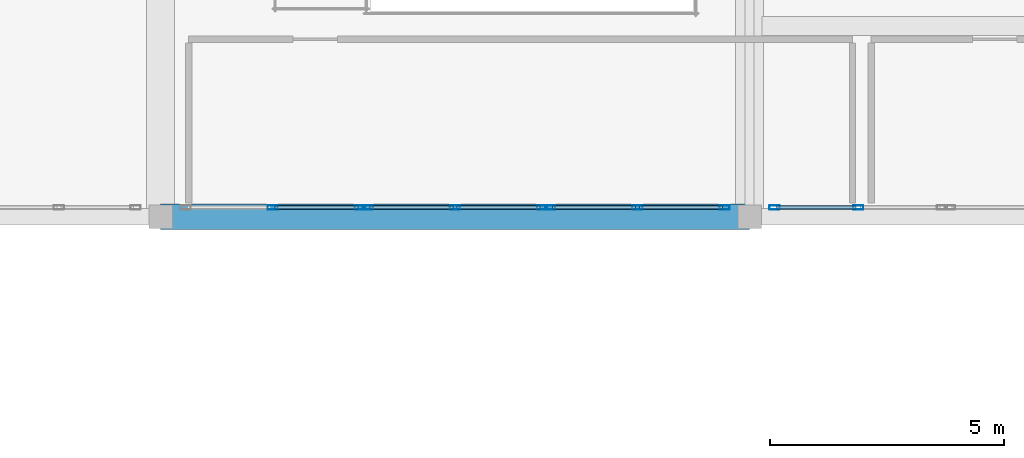
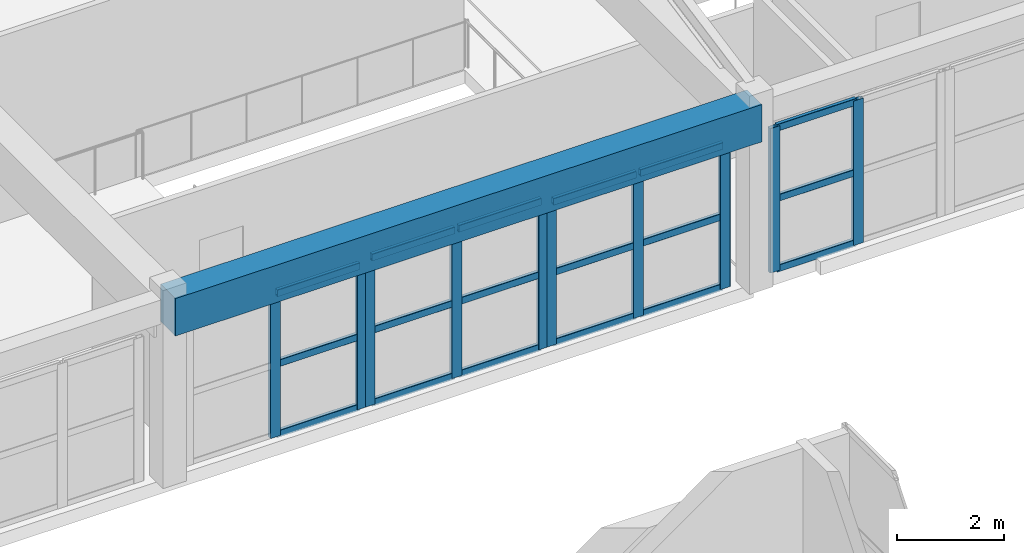
# One storey, part 22 of 91: 28 members, 1 beam, 4 elements without a shape of their own.
"""IFC4 building model written with IfcOpenShell, lengths in metres."""

import ifcopenshell
import ifcopenshell.guid

model = None  # the IFC model being written
_history = None  # IfcOwnerHistory: only IFC2X3 demands one
_inside = {}  # id of a spatial element -> (the spatial element, [elements in it])
_under = {}  # id of a project, library or spatial element -> (it, [spatial elements below it])
_declared = {}  # id of a project -> (the project, [libraries it declares])
_typed = {}  # id of a type object -> (the type object, [elements of that type])
_made_of = {}  # id of a material, layer set ... -> (it, [elements and type objects made of it])


def new_model(schema):
    """Start an empty IFC model of exactly this schema.

    Asked for "IFC4X3", IfcOpenShell would pick the latest addendum, in which some entities
    have other attributes; the version numbers below select the first issue.
    IFC2X3 requires an IfcOwnerHistory on every rooted entity: one is made here for all.
    """
    global model, _history
    if schema == "IFC4X3":
        model = ifcopenshell.file(schema_version=(4, 3, 0, 0))
    else:
        model = ifcopenshell.file(schema=schema)
    _inside.clear()
    _under.clear()
    _declared.clear()
    _typed.clear()
    _made_of.clear()
    _history = None
    if model.schema == "IFC2X3":
        org = make("IfcOrganization", Name="unknown")
        user = make(
            "IfcPersonAndOrganization",
            ThePerson=make("IfcPerson", FamilyName="unknown"),
            TheOrganization=org,
        )
        app = make(
            "IfcApplication",
            ApplicationDeveloper=org,
            Version="unknown",
            ApplicationFullName="unknown",
            ApplicationIdentifier="unknown",
        )
        _history = make(
            "IfcOwnerHistory",
            OwningUser=user,
            OwningApplication=app,
            ChangeAction="ADDED",
            CreationDate=0,
        )
    return model


def make(cls, **values):
    """One entity of the class cls with the attributes given. An attribute that is None is left unset."""
    return model.create_entity(
        cls, **{name: value for name, value in values.items() if value is not None}
    )


def rooted(cls, **values):
    """An entity with a GlobalId (a new one), such as an element, a storey or a relation."""
    return make(cls, GlobalId=ifcopenshell.guid.new(), OwnerHistory=_history, **values)


def si_unit(unit_type, name, prefix=None):
    """IfcSIUnit, for example si_unit("LENGTHUNIT", "METRE", prefix="MILLI")."""
    return make("IfcSIUnit", UnitType=unit_type, Prefix=prefix, Name=name)


def assignment(units):
    """IfcUnitAssignment: the units of a project."""
    return None if units is None else make("IfcUnitAssignment", Units=units)


def point(xyz):
    """IfcCartesianPoint."""
    return None if xyz is None else make("IfcCartesianPoint", Coordinates=xyz)


def direction(xyz):
    """IfcDirection."""
    return None if xyz is None else make("IfcDirection", DirectionRatios=xyz)


def frame(location, z_axis=None, x_axis=None):
    """IfcAxis2Placement3D, a coordinate frame: its origin and axes. An axis left out is left unset."""
    return make(
        "IfcAxis2Placement3D",
        Location=point(location),
        Axis=direction(z_axis),
        RefDirection=direction(x_axis),
    )


def frame_2d(location, x_axis=None):
    """IfcAxis2Placement2D, a coordinate frame in the plane: its origin and x axis."""
    return make(
        "IfcAxis2Placement2D", Location=point(location), RefDirection=direction(x_axis)
    )


def origin():
    """The frame at (0, 0, 0) with its axes left unset."""
    return frame((0.0, 0.0, 0.0))


def origin_2d():
    """The frame at (0, 0) in the plane with its x axis left unset."""
    return frame_2d((0.0, 0.0))


def place(relative_to, where):
    """IfcLocalPlacement: puts the frame where relative to a parent placement (None: the world)."""
    return make(
        "IfcLocalPlacement", PlacementRelTo=relative_to, RelativePlacement=where
    )


def context(
    kind, dimensions, precision=None, world=None, true_north=None, identifier=None
):
    """IfcGeometricRepresentationContext, for example the 3D "Model" context."""
    return make(
        "IfcGeometricRepresentationContext",
        ContextIdentifier=identifier,
        ContextType=kind,
        CoordinateSpaceDimension=dimensions,
        Precision=precision,
        WorldCoordinateSystem=world,
        TrueNorth=true_north,
    )


def subcontext(parent, identifier, kind, view, scale=None):
    """IfcGeometricRepresentationSubContext, for example "Body" below "Model"."""
    return make(
        "IfcGeometricRepresentationSubContext",
        ContextIdentifier=identifier,
        ContextType=kind,
        ParentContext=parent,
        TargetScale=scale,
        TargetView=view,
    )


def project(units=None, contexts=None):
    """IfcProject with its units and contexts."""
    return rooted(
        "IfcProject",
        Name="project",
        RepresentationContexts=contexts,
        UnitsInContext=assignment(units),
    )


def spatial(cls, under=None, at=None, **own):
    """A site, building, storey or space (cls), placed at a placement, below another one or the project."""
    s = rooted(cls, ObjectPlacement=at, **own)
    if under is not None:
        _under.setdefault(under.id(), (under, []))[1].append(s)
    return s


def profile(cls, at=None, kind="AREA", **sizes):
    """A parametric profile (cls). Its sizes go by their IFC names, for example OverallWidth=200.0."""
    return make(cls, ProfileType=kind, Position=at, **sizes)


def rectangle(**sizes):
    """IfcRectangleProfileDef."""
    return profile("IfcRectangleProfileDef", **sizes)


def hollow_rectangle(**sizes):
    """IfcRectangleHollowProfileDef."""
    return profile("IfcRectangleHollowProfileDef", **sizes)


def extrude(swept, where, along, depth):
    """IfcExtrudedAreaSolid: the profile swept, set in the frame where, extruded along a direction by depth."""
    return make(
        "IfcExtrudedAreaSolid",
        SweptArea=swept,
        Position=where,
        ExtrudedDirection=direction(along),
        Depth=depth,
    )


def shape(context_of_items, identifier, shape_type, items):
    """IfcShapeRepresentation: the items that make up one representation, for example the "Body"."""
    return make(
        "IfcShapeRepresentation",
        ContextOfItems=context_of_items,
        RepresentationIdentifier=identifier,
        RepresentationType=shape_type,
        Items=items,
    )


def material(Name=None, Category=None):
    """IfcMaterial."""
    return make("IfcMaterial", Name=Name, Category=Category)


def layer(
    of_material, thickness, ventilated=None, Name=None, Category=None, Priority=None
):
    """IfcMaterialLayer: one layer of a wall or slab, of a material (None: an air gap)."""
    return make(
        "IfcMaterialLayer",
        Material=of_material,
        LayerThickness=thickness,
        IsVentilated=ventilated,
        Name=Name,
        Category=Category,
        Priority=Priority,
    )


def layer_set(layers, Name=None):
    """IfcMaterialLayerSet."""
    return make("IfcMaterialLayerSet", MaterialLayers=layers, LayerSetName=Name)


def material_profile(
    of_material, cross_section, Name=None, Category=None, Priority=None
):
    """IfcMaterialProfile: a cross section and its material."""
    return make(
        "IfcMaterialProfile",
        Name=Name,
        Material=of_material,
        Profile=cross_section,
        Priority=Priority,
        Category=Category,
    )


def profile_set(profiles, Name=None, composite=None):
    """IfcMaterialProfileSet."""
    return make(
        "IfcMaterialProfileSet",
        Name=Name,
        MaterialProfiles=profiles,
        CompositeProfile=composite,
    )


def made_of(thing, what):
    """Note that an element or type object is made of a material, layer set ...; save() writes the relation."""
    if what is not None:
        _made_of.setdefault(what.id(), (what, []))[1].append(thing)
    return thing


def type_object(cls, material=None, **own):
    """A type object (cls), such as IfcWallType, which elements share."""
    return made_of(rooted(cls, **own), material)


def element(
    cls,
    number,
    at=None,
    inside=None,
    cuts=None,
    type_object=None,
    material=None,
    context=None,
    identifier="Body",
    shape_type=None,
    held_by="IfcProductDefinitionShape",
    body=None,
    shapes=None,
    **own,
):
    """One element of the class cls, such as IfcWall. Its Tag is "e" and its number.

    at: its placement. inside: the storey or other place that contains it. cuts: it is an
    opening in that element (IfcRelVoidsElement). A single representation is given by context,
    identifier, shape_type and body (its items); several are given by shapes. held_by: the class
    of the entity that holds the representations. save() writes the other relations.
    """
    e = rooted(cls, Tag="e%d" % number, ObjectPlacement=at, **own)
    if body is not None:
        shapes = [shape(context, identifier, shape_type, body)]
    if shapes is not None:
        e.Representation = make(held_by, Representations=shapes)
    if inside is not None:
        _inside.setdefault(inside.id(), (inside, []))[1].append(e)
    if cuts is not None:
        rooted(
            "IfcRelVoidsElement", RelatingBuildingElement=cuts, RelatedOpeningElement=e
        )
    if type_object is not None:
        _typed.setdefault(type_object.id(), (type_object, []))[1].append(e)
    return made_of(e, material)


def aggregate(whole, parts):
    """IfcRelAggregates: a whole, such as a stair, and the parts it consists of."""
    return rooted("IfcRelAggregates", RelatingObject=whole, RelatedObjects=parts)


def save(model, path):
    """Write the relations noted so far, then the file.

    IfcRelAggregates (storeys below a building ...), IfcRelContainedInSpatialStructure (elements
    in a storey), IfcRelDefinesByType, IfcRelAssociatesMaterial and IfcRelDeclares: one each for
    every whole, place, type object, material and project.
    """
    for whole, parts in _under.values():
        aggregate(whole, parts)
    for where, things in _inside.values():
        rooted(
            "IfcRelContainedInSpatialStructure",
            RelatedElements=things,
            RelatingStructure=where,
        )
    for kind, things in _typed.values():
        rooted("IfcRelDefinesByType", RelatedObjects=things, RelatingType=kind)
    for what, things in _made_of.values():
        rooted("IfcRelAssociatesMaterial", RelatedObjects=things, RelatingMaterial=what)
    for by, libraries in _declared.values():
        rooted("IfcRelDeclares", RelatingContext=by, RelatedDefinitions=libraries)
    model.write(path)


model = new_model("IFC4")

# Units and contexts
model_context = context("Model", 3, precision=1e-05, world=origin(), true_north=direction((0.0, 1.0)))
body_context = subcontext(model_context, "Body", "Model", "MODEL_VIEW")
ifc_project = project(units=[si_unit("LENGTHUNIT", "METRE"), si_unit("AREAUNIT", "SQUARE_METRE"), si_unit("VOLUMEUNIT", "CUBIC_METRE"), si_unit("PLANEANGLEUNIT", "RADIAN"), si_unit("MASSUNIT", "GRAM", prefix="KILO")], contexts=[model_context])

# Site, building, storey
site_placement = place(None, origin())
site = spatial("IfcSite", under=ifc_project, at=site_placement, CompositionType="ELEMENT")
building_placement = place(site_placement, origin())
building = spatial("IfcBuilding", under=site, at=building_placement, Name="Tarnavel Promenade Courthouse", CompositionType="ELEMENT")
storey_placement = place(building_placement, frame((0.0, 0.0, 9.89990234375)))
storey = spatial("IfcBuildingStorey", under=building, at=storey_placement, Name="L03", CompositionType="ELEMENT", Elevation=9.89990234375)

# Beam
ifc_material_1 = material(Name="Concrete C40/50", Category="concrete")
ifc_material_profile_1 = material_profile(ifc_material_1, rectangle(XDim=0.550048828125, YDim=0.85009765625, at=origin_2d()), Name="PT 550x850")
ifc_profile_set_1 = profile_set([ifc_material_profile_1], Name="Concrete C40/50")
beam_type = type_object("IfcBeamType", Name="Concrete C40/50 BM-PT-550x850 (PT 550x850)", PredefinedType="T_BEAM", material=ifc_profile_set_1)
beam_placement = place(storey_placement, frame((46.199951171875, 46.800048828125, 3.820068359375), z_axis=(1.0, 0.0, 0.0), x_axis=(0.0, 1.0, 0.0)))
element("IfcBeam", 1, at=beam_placement, inside=storey, type_object=beam_type, Name="L03 Primary Longitudinal Beam 1570", PredefinedType="T_BEAM", context=body_context, shape_type="SweptSolid", body=[
    extrude(rectangle(XDim=0.550048828125, YDim=0.85009765625, at=origin_2d()), origin(), (0.0, 0.0, 1.0), 12.60009765625),
])

# Curtain wall, members
ifc_material_2 = material(Name="Thermally Broken Anodised Aluminium Curtain Wall System", Category="aluminium")
ifc_layer = layer(ifc_material_2, 0.239990234375)
ifc_layer_set = layer_set([ifc_layer], Name="Thermally Broken Anodised Aluminium Curtain Wall System")
curtain_wall_type = type_object("IfcCurtainWallType", Name="Thermally Broken Aluminium Triple-Glazed Curtain Wall CW-WG-S", PredefinedType="NOTDEFINED", material=ifc_layer_set)
curtain_wall_1_placement = place(storey_placement, origin())
curtain_wall_1 = element("IfcCurtainWall", 2, at=curtain_wall_1_placement, inside=storey, type_object=curtain_wall_type, Name="L03 Winter-Garden South Solar Curtain Wall 084", PredefinedType="NOTDEFINED")
ifc_material_3 = material(Name="Thermally Broken Anodised Aluminium Frame", Category="aluminium")
ifc_material_profile_2 = material_profile(ifc_material_3, hollow_rectangle(XDim=0.090087890625, YDim=0.219970703125, WallThickness=0.0048828125, InnerFilletRadius=0.0048828125, OuterFilletRadius=0.010009765625, at=origin_2d()), Name="CWM 220x90x5")
ifc_profile_set_2 = profile_set([ifc_material_profile_2], Name="Thermally Broken Anodised Aluminium Frame")
member_type_1 = type_object("IfcMemberType", Name="Thermally Broken Anodised Aluminium CWM-175 (CWM 220x90x5)", PredefinedType="MULLION", material=ifc_profile_set_2)
member_1_placement = place(storey_placement, frame((48.60009765625, 47.0, 0.0), z_axis=(0.0, 0.0, 1.0), x_axis=(0.0, 1.0, 0.0)))
member_1 = element("IfcMember", 3, at=member_1_placement, type_object=member_type_1, Name="CW-02 mullion 2", PredefinedType="MULLION", context=body_context, shape_type="SweptSolid", body=[
    extrude(hollow_rectangle(XDim=0.090087890625, YDim=0.219970703125, WallThickness=0.0048828125, InnerFilletRadius=0.0048828125, OuterFilletRadius=0.010009765625, at=origin_2d()), origin(), (0.0, 0.0, 1.0), 3.280029296875),
])
member_2_placement = place(storey_placement, frame((50.465087890625, 47.0, 0.0), z_axis=(0.0, 0.0, 1.0), x_axis=(0.0, 1.0, 0.0)))
member_2 = element("IfcMember", 4, at=member_2_placement, type_object=member_type_1, Name="CW-02 mullion 3", PredefinedType="MULLION", context=body_context, shape_type="SweptSolid", body=[
    extrude(hollow_rectangle(XDim=0.090087890625, YDim=0.219970703125, WallThickness=0.0048828125, InnerFilletRadius=0.0048828125, OuterFilletRadius=0.010009765625, at=origin_2d()), origin(), (0.0, 0.0, 1.0), 3.280029296875),
])

curtain_wall_2_placement = place(storey_placement, origin())
curtain_wall_2 = element("IfcCurtainWall", 5, at=curtain_wall_2_placement, inside=storey, type_object=curtain_wall_type, Name="L03 Winter-Garden South Solar Curtain Wall 085", PredefinedType="NOTDEFINED")
member_3_placement = place(storey_placement, frame((50.635009765625, 47.0, 0.0), z_axis=(0.0, 0.0, 1.0), x_axis=(0.0, 1.0, 0.0)))
member_3 = element("IfcMember", 6, at=member_3_placement, type_object=member_type_1, Name="CW-02 mullion 1", PredefinedType="MULLION", context=body_context, shape_type="SweptSolid", body=[
    extrude(hollow_rectangle(XDim=0.090087890625, YDim=0.219970703125, WallThickness=0.0048828125, InnerFilletRadius=0.0048828125, OuterFilletRadius=0.010009765625, at=origin_2d()), origin(), (0.0, 0.0, 1.0), 3.380126953125),
])
member_4_placement = place(storey_placement, frame((52.5, 47.0, 0.0), z_axis=(0.0, 0.0, 1.0), x_axis=(0.0, 1.0, 0.0)))
member_4 = element("IfcMember", 7, at=member_4_placement, type_object=member_type_1, Name="CW-02 mullion 2", PredefinedType="MULLION", context=body_context, shape_type="SweptSolid", body=[
    extrude(hollow_rectangle(XDim=0.090087890625, YDim=0.219970703125, WallThickness=0.0048828125, InnerFilletRadius=0.0048828125, OuterFilletRadius=0.010009765625, at=origin_2d()), origin(), (0.0, 0.0, 1.0), 3.380126953125),
])
member_5_placement = place(storey_placement, frame((54.364990234375, 47.0, 0.0), z_axis=(0.0, 0.0, 1.0), x_axis=(0.0, 1.0, 0.0)))
member_5 = element("IfcMember", 8, at=member_5_placement, type_object=member_type_1, Name="CW-02 mullion 3", PredefinedType="MULLION", context=body_context, shape_type="SweptSolid", body=[
    extrude(hollow_rectangle(XDim=0.090087890625, YDim=0.219970703125, WallThickness=0.0048828125, InnerFilletRadius=0.0048828125, OuterFilletRadius=0.010009765625, at=origin_2d()), origin(), (0.0, 0.0, 1.0), 3.380126953125),
])

curtain_wall_3_placement = place(storey_placement, origin())
curtain_wall_3 = element("IfcCurtainWall", 9, at=curtain_wall_3_placement, inside=storey, type_object=curtain_wall_type, Name="L03 Winter-Garden South Solar Curtain Wall 086", PredefinedType="NOTDEFINED")
member_6_placement = place(storey_placement, frame((54.534912109375, 47.0, 0.0), z_axis=(0.0, 0.0, 1.0), x_axis=(0.0, 1.0, 0.0)))
member_6 = element("IfcMember", 10, at=member_6_placement, type_object=member_type_1, Name="CW-02 mullion 1", PredefinedType="MULLION", context=body_context, shape_type="SweptSolid", body=[
    extrude(hollow_rectangle(XDim=0.090087890625, YDim=0.219970703125, WallThickness=0.0048828125, InnerFilletRadius=0.0048828125, OuterFilletRadius=0.010009765625, at=origin_2d()), origin(), (0.0, 0.0, 1.0), 3.280029296875),
])
member_7_placement = place(storey_placement, frame((56.39990234375, 47.0, 0.0), z_axis=(0.0, 0.0, 1.0), x_axis=(0.0, 1.0, 0.0)))
member_7 = element("IfcMember", 11, at=member_7_placement, type_object=member_type_1, Name="CW-02 mullion 2", PredefinedType="MULLION", context=body_context, shape_type="SweptSolid", body=[
    extrude(hollow_rectangle(XDim=0.090087890625, YDim=0.219970703125, WallThickness=0.0048828125, InnerFilletRadius=0.0048828125, OuterFilletRadius=0.010009765625, at=origin_2d()), origin(), (0.0, 0.0, 1.0), 3.280029296875),
])
member_8_placement = place(storey_placement, frame((58.264892578125, 47.0, 0.0), z_axis=(0.0, 0.0, 1.0), x_axis=(0.0, 1.0, 0.0)))
member_8 = element("IfcMember", 12, at=member_8_placement, type_object=member_type_1, Name="CW-02 mullion 3", PredefinedType="MULLION", context=body_context, shape_type="SweptSolid", body=[
    extrude(hollow_rectangle(XDim=0.090087890625, YDim=0.219970703125, WallThickness=0.0048828125, InnerFilletRadius=0.0048828125, OuterFilletRadius=0.010009765625, at=origin_2d()), origin(), (0.0, 0.0, 1.0), 3.280029296875),
])

curtain_wall_4_placement = place(storey_placement, origin())
curtain_wall_4 = element("IfcCurtainWall", 13, at=curtain_wall_4_placement, inside=storey, type_object=curtain_wall_type, Name="L03 Winter-Garden South Solar Curtain Wall 087", PredefinedType="NOTDEFINED")
member_9_placement = place(storey_placement, frame((59.3349609375, 47.0, 0.0), z_axis=(0.0, 0.0, 1.0), x_axis=(0.0, 1.0, 0.0)))
member_9 = element("IfcMember", 14, at=member_9_placement, type_object=member_type_1, Name="CW-02 mullion 1", PredefinedType="MULLION", context=body_context, shape_type="SweptSolid", body=[
    extrude(hollow_rectangle(XDim=0.090087890625, YDim=0.219970703125, WallThickness=0.0048828125, InnerFilletRadius=0.0048828125, OuterFilletRadius=0.010009765625, at=origin_2d()), origin(), (0.0, 0.0, 1.0), 3.280029296875),
])
member_10_placement = place(storey_placement, frame((61.125, 47.0, 0.0), z_axis=(0.0, 0.0, 1.0), x_axis=(0.0, 1.0, 0.0)))
member_10 = element("IfcMember", 15, at=member_10_placement, type_object=member_type_1, Name="CW-02 mullion 2", PredefinedType="MULLION", context=body_context, shape_type="SweptSolid", body=[
    extrude(hollow_rectangle(XDim=0.090087890625, YDim=0.219970703125, WallThickness=0.0048828125, InnerFilletRadius=0.0048828125, OuterFilletRadius=0.010009765625, at=origin_2d()), origin(), (0.0, 0.0, 1.0), 3.280029296875),
])

# Member
ifc_material_profile_3 = material_profile(ifc_material_3, hollow_rectangle(XDim=0.080078125, YDim=0.159912109375, WallThickness=0.0048828125, InnerFilletRadius=0.0048828125, OuterFilletRadius=0.010009765625, at=origin_2d()), Name="CWT 160x80x5")
ifc_profile_set_3 = profile_set([ifc_material_profile_3], Name="Thermally Broken Anodised Aluminium Frame")
member_type_2 = type_object("IfcMemberType", Name="Thermally Broken Anodised Aluminium CWT-145 (CWT 160x80x5)", PredefinedType="USERDEFINED", material=ifc_profile_set_3)
member_11_placement = place(storey_placement, frame((48.64501953125, 47.0, 0.0400390625), z_axis=(1.0, 0.0, 0.0), x_axis=(0.0, 1.0, 0.0)))
member_11 = element("IfcMember", 16, at=member_11_placement, type_object=member_type_2, Name="CW-02 transom 2.1", ObjectType="TRANSOM", PredefinedType="USERDEFINED", context=body_context, shape_type="SweptSolid", body=[
    extrude(hollow_rectangle(XDim=0.080078125, YDim=0.159912109375, WallThickness=0.0048828125, InnerFilletRadius=0.0048828125, OuterFilletRadius=0.010009765625, at=origin_2d()), origin(), (0.0, 0.0, 1.0), 1.77490234375),
])

member_12_placement = place(storey_placement, frame((48.64501953125, 47.0, 1.64013671875), z_axis=(1.0, 0.0, 0.0), x_axis=(0.0, 1.0, 0.0)))
member_12 = element("IfcMember", 17, at=member_12_placement, type_object=member_type_2, Name="CW-02 transom 2.2", ObjectType="TRANSOM", PredefinedType="USERDEFINED", context=body_context, shape_type="SweptSolid", body=[
    extrude(hollow_rectangle(XDim=0.080078125, YDim=0.159912109375, WallThickness=0.0048828125, InnerFilletRadius=0.0048828125, OuterFilletRadius=0.010009765625, at=origin_2d()), origin(), (0.0, 0.0, 1.0), 1.77490234375),
])

member_13_placement = place(storey_placement, frame((48.64501953125, 47.0, 3.239990234375), z_axis=(1.0, 0.0, 0.0), x_axis=(0.0, 1.0, 0.0)))
member_13 = element("IfcMember", 18, at=member_13_placement, type_object=member_type_2, Name="CW-02 transom 2.3", ObjectType="TRANSOM", PredefinedType="USERDEFINED", context=body_context, shape_type="SweptSolid", body=[
    extrude(hollow_rectangle(XDim=0.080078125, YDim=0.159912109375, WallThickness=0.0048828125, InnerFilletRadius=0.0048828125, OuterFilletRadius=0.010009765625, at=origin_2d()), origin(), (0.0, 0.0, 1.0), 1.77490234375),
])

aggregate(curtain_wall_1, [member_1, member_2, member_11, member_12, member_13])

member_14_placement = place(storey_placement, frame((50.679931640625, 47.0, 0.0400390625), z_axis=(1.0, 0.0, 0.0), x_axis=(0.0, 1.0, 0.0)))
member_14 = element("IfcMember", 19, at=member_14_placement, type_object=member_type_2, Name="CW-02 transom 1.1", ObjectType="TRANSOM", PredefinedType="USERDEFINED", context=body_context, shape_type="SweptSolid", body=[
    extrude(hollow_rectangle(XDim=0.080078125, YDim=0.159912109375, WallThickness=0.0048828125, InnerFilletRadius=0.0048828125, OuterFilletRadius=0.010009765625, at=origin_2d()), origin(), (0.0, 0.0, 1.0), 1.775146484375),
])

member_15_placement = place(storey_placement, frame((50.679931640625, 47.0, 1.690185546875), z_axis=(1.0, 0.0, 0.0), x_axis=(0.0, 1.0, 0.0)))
member_15 = element("IfcMember", 20, at=member_15_placement, type_object=member_type_2, Name="CW-02 transom 1.2", ObjectType="TRANSOM", PredefinedType="USERDEFINED", context=body_context, shape_type="SweptSolid", body=[
    extrude(hollow_rectangle(XDim=0.080078125, YDim=0.159912109375, WallThickness=0.0048828125, InnerFilletRadius=0.0048828125, OuterFilletRadius=0.010009765625, at=origin_2d()), origin(), (0.0, 0.0, 1.0), 1.775146484375),
])

member_16_placement = place(storey_placement, frame((50.679931640625, 47.0, 3.340087890625), z_axis=(1.0, 0.0, 0.0), x_axis=(0.0, 1.0, 0.0)))
member_16 = element("IfcMember", 21, at=member_16_placement, type_object=member_type_2, Name="CW-02 transom 1.3", ObjectType="TRANSOM", PredefinedType="USERDEFINED", context=body_context, shape_type="SweptSolid", body=[
    extrude(hollow_rectangle(XDim=0.080078125, YDim=0.159912109375, WallThickness=0.0048828125, InnerFilletRadius=0.0048828125, OuterFilletRadius=0.010009765625, at=origin_2d()), origin(), (0.0, 0.0, 1.0), 1.775146484375),
])

member_17_placement = place(storey_placement, frame((52.544921875, 47.0, 0.0400390625), z_axis=(1.0, 0.0, 0.0), x_axis=(0.0, 1.0, 0.0)))
member_17 = element("IfcMember", 22, at=member_17_placement, type_object=member_type_2, Name="CW-02 transom 2.1", ObjectType="TRANSOM", PredefinedType="USERDEFINED", context=body_context, shape_type="SweptSolid", body=[
    extrude(hollow_rectangle(XDim=0.080078125, YDim=0.159912109375, WallThickness=0.0048828125, InnerFilletRadius=0.0048828125, OuterFilletRadius=0.010009765625, at=origin_2d()), origin(), (0.0, 0.0, 1.0), 1.775146484375),
])

member_18_placement = place(storey_placement, frame((52.544921875, 47.0, 1.690185546875), z_axis=(1.0, 0.0, 0.0), x_axis=(0.0, 1.0, 0.0)))
member_18 = element("IfcMember", 23, at=member_18_placement, type_object=member_type_2, Name="CW-02 transom 2.2", ObjectType="TRANSOM", PredefinedType="USERDEFINED", context=body_context, shape_type="SweptSolid", body=[
    extrude(hollow_rectangle(XDim=0.080078125, YDim=0.159912109375, WallThickness=0.0048828125, InnerFilletRadius=0.0048828125, OuterFilletRadius=0.010009765625, at=origin_2d()), origin(), (0.0, 0.0, 1.0), 1.775146484375),
])

member_19_placement = place(storey_placement, frame((52.544921875, 47.0, 3.340087890625), z_axis=(1.0, 0.0, 0.0), x_axis=(0.0, 1.0, 0.0)))
member_19 = element("IfcMember", 24, at=member_19_placement, type_object=member_type_2, Name="CW-02 transom 2.3", ObjectType="TRANSOM", PredefinedType="USERDEFINED", context=body_context, shape_type="SweptSolid", body=[
    extrude(hollow_rectangle(XDim=0.080078125, YDim=0.159912109375, WallThickness=0.0048828125, InnerFilletRadius=0.0048828125, OuterFilletRadius=0.010009765625, at=origin_2d()), origin(), (0.0, 0.0, 1.0), 1.775146484375),
])

aggregate(curtain_wall_2, [member_3, member_4, member_5, member_14, member_15, member_16, member_17, member_18, member_19])

member_20_placement = place(storey_placement, frame((54.580078125, 47.0, 0.0400390625), z_axis=(1.0, 0.0, 0.0), x_axis=(0.0, 1.0, 0.0)))
member_20 = element("IfcMember", 25, at=member_20_placement, type_object=member_type_2, Name="CW-02 transom 1.1", ObjectType="TRANSOM", PredefinedType="USERDEFINED", context=body_context, shape_type="SweptSolid", body=[
    extrude(hollow_rectangle(XDim=0.080078125, YDim=0.159912109375, WallThickness=0.0048828125, InnerFilletRadius=0.0048828125, OuterFilletRadius=0.010009765625, at=origin_2d()), origin(), (0.0, 0.0, 1.0), 1.77490234375),
])

member_21_placement = place(storey_placement, frame((54.580078125, 47.0, 1.64013671875), z_axis=(1.0, 0.0, 0.0), x_axis=(0.0, 1.0, 0.0)))
member_21 = element("IfcMember", 26, at=member_21_placement, type_object=member_type_2, Name="CW-02 transom 1.2", ObjectType="TRANSOM", PredefinedType="USERDEFINED", context=body_context, shape_type="SweptSolid", body=[
    extrude(hollow_rectangle(XDim=0.080078125, YDim=0.159912109375, WallThickness=0.0048828125, InnerFilletRadius=0.0048828125, OuterFilletRadius=0.010009765625, at=origin_2d()), origin(), (0.0, 0.0, 1.0), 1.77490234375),
])

member_22_placement = place(storey_placement, frame((54.580078125, 47.0, 3.239990234375), z_axis=(1.0, 0.0, 0.0), x_axis=(0.0, 1.0, 0.0)))
member_22 = element("IfcMember", 27, at=member_22_placement, type_object=member_type_2, Name="CW-02 transom 1.3", ObjectType="TRANSOM", PredefinedType="USERDEFINED", context=body_context, shape_type="SweptSolid", body=[
    extrude(hollow_rectangle(XDim=0.080078125, YDim=0.159912109375, WallThickness=0.0048828125, InnerFilletRadius=0.0048828125, OuterFilletRadius=0.010009765625, at=origin_2d()), origin(), (0.0, 0.0, 1.0), 1.77490234375),
])

member_23_placement = place(storey_placement, frame((56.445068359375, 47.0, 0.0400390625), z_axis=(1.0, 0.0, 0.0), x_axis=(0.0, 1.0, 0.0)))
member_23 = element("IfcMember", 28, at=member_23_placement, type_object=member_type_2, Name="CW-02 transom 2.1", ObjectType="TRANSOM", PredefinedType="USERDEFINED", context=body_context, shape_type="SweptSolid", body=[
    extrude(hollow_rectangle(XDim=0.080078125, YDim=0.159912109375, WallThickness=0.0048828125, InnerFilletRadius=0.0048828125, OuterFilletRadius=0.010009765625, at=origin_2d()), origin(), (0.0, 0.0, 1.0), 1.77490234375),
])

member_24_placement = place(storey_placement, frame((56.445068359375, 47.0, 1.64013671875), z_axis=(1.0, 0.0, 0.0), x_axis=(0.0, 1.0, 0.0)))
member_24 = element("IfcMember", 29, at=member_24_placement, type_object=member_type_2, Name="CW-02 transom 2.2", ObjectType="TRANSOM", PredefinedType="USERDEFINED", context=body_context, shape_type="SweptSolid", body=[
    extrude(hollow_rectangle(XDim=0.080078125, YDim=0.159912109375, WallThickness=0.0048828125, InnerFilletRadius=0.0048828125, OuterFilletRadius=0.010009765625, at=origin_2d()), origin(), (0.0, 0.0, 1.0), 1.77490234375),
])

member_25_placement = place(storey_placement, frame((56.445068359375, 47.0, 3.239990234375), z_axis=(1.0, 0.0, 0.0), x_axis=(0.0, 1.0, 0.0)))
member_25 = element("IfcMember", 30, at=member_25_placement, type_object=member_type_2, Name="CW-02 transom 2.3", ObjectType="TRANSOM", PredefinedType="USERDEFINED", context=body_context, shape_type="SweptSolid", body=[
    extrude(hollow_rectangle(XDim=0.080078125, YDim=0.159912109375, WallThickness=0.0048828125, InnerFilletRadius=0.0048828125, OuterFilletRadius=0.010009765625, at=origin_2d()), origin(), (0.0, 0.0, 1.0), 1.77490234375),
])

aggregate(curtain_wall_3, [member_6, member_7, member_8, member_20, member_21, member_22, member_23, member_24, member_25])

member_26_placement = place(storey_placement, frame((59.3798828125, 47.0, 0.0400390625), z_axis=(1.0, 0.0, 0.0), x_axis=(0.0, 1.0, 0.0)))
member_26 = element("IfcMember", 31, at=member_26_placement, type_object=member_type_2, Name="CW-02 transom 1.1", ObjectType="TRANSOM", PredefinedType="USERDEFINED", context=body_context, shape_type="SweptSolid", body=[
    extrude(hollow_rectangle(XDim=0.080078125, YDim=0.159912109375, WallThickness=0.0048828125, InnerFilletRadius=0.0048828125, OuterFilletRadius=0.010009765625, at=origin_2d()), origin(), (0.0, 0.0, 1.0), 1.7001953125),
])

member_27_placement = place(storey_placement, frame((59.3798828125, 47.0, 1.64013671875), z_axis=(1.0, 0.0, 0.0), x_axis=(0.0, 1.0, 0.0)))
member_27 = element("IfcMember", 32, at=member_27_placement, type_object=member_type_2, Name="CW-02 transom 1.2", ObjectType="TRANSOM", PredefinedType="USERDEFINED", context=body_context, shape_type="SweptSolid", body=[
    extrude(hollow_rectangle(XDim=0.080078125, YDim=0.159912109375, WallThickness=0.0048828125, InnerFilletRadius=0.0048828125, OuterFilletRadius=0.010009765625, at=origin_2d()), origin(), (0.0, 0.0, 1.0), 1.7001953125),
])

member_28_placement = place(storey_placement, frame((59.3798828125, 47.0, 3.239990234375), z_axis=(1.0, 0.0, 0.0), x_axis=(0.0, 1.0, 0.0)))
member_28 = element("IfcMember", 33, at=member_28_placement, type_object=member_type_2, Name="CW-02 transom 1.3", ObjectType="TRANSOM", PredefinedType="USERDEFINED", context=body_context, shape_type="SweptSolid", body=[
    extrude(hollow_rectangle(XDim=0.080078125, YDim=0.159912109375, WallThickness=0.0048828125, InnerFilletRadius=0.0048828125, OuterFilletRadius=0.010009765625, at=origin_2d()), origin(), (0.0, 0.0, 1.0), 1.7001953125),
])

aggregate(curtain_wall_4, [member_9, member_10, member_26, member_27, member_28])

save(model, "model.ifc")
